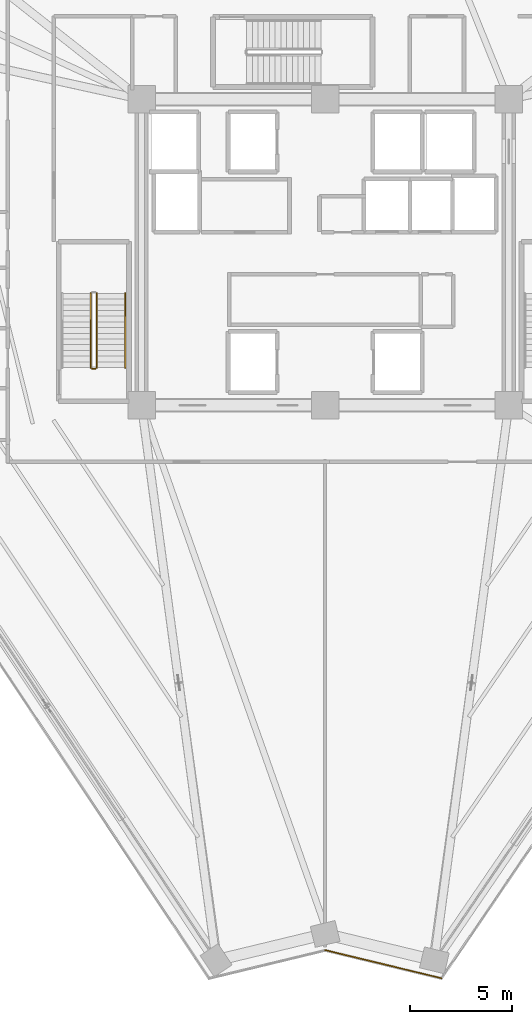
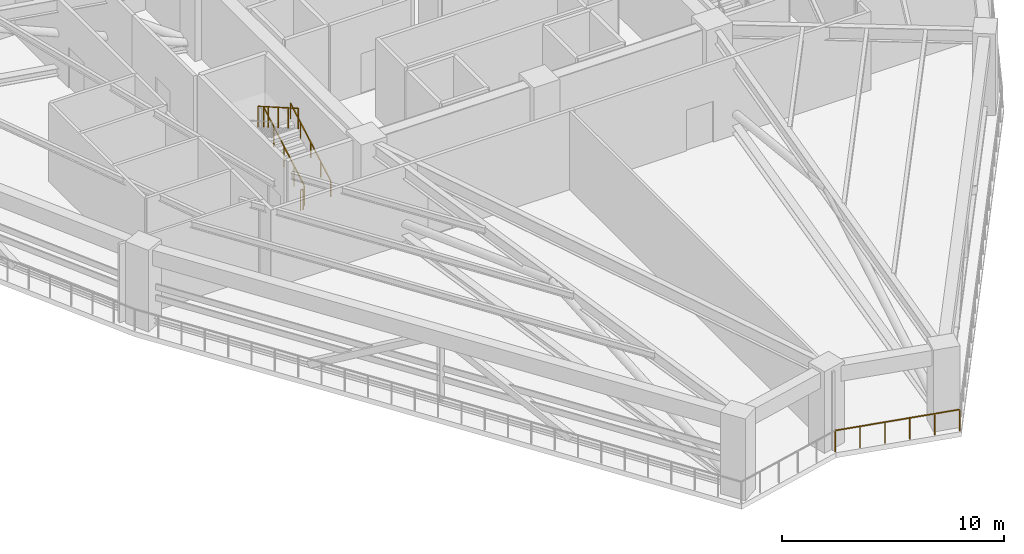
# One storey, part 19 of 25: 5 railings.
"""IFC4 building model written with IfcOpenShell, lengths in metres."""

from ifc_helpers import new_model, si_unit, direction, frame, origin, origin_2d, place, context, subcontext, project, spatial, rectangle, extrude, material, type_object, element, save


model = new_model("IFC4")

# Units and contexts
model_context = context("Model", 3, precision=1e-05, world=origin(), true_north=direction((0.0, 1.0)))
body_context = subcontext(model_context, "Body", "Model", "MODEL_VIEW")
ifc_project = project(units=[si_unit("LENGTHUNIT", "METRE"), si_unit("AREAUNIT", "SQUARE_METRE"), si_unit("VOLUMEUNIT", "CUBIC_METRE"), si_unit("PLANEANGLEUNIT", "RADIAN"), si_unit("MASSUNIT", "GRAM", prefix="KILO")], contexts=[model_context])

# Site, building, storey
site_placement = place(None, origin())
site = spatial("IfcSite", under=ifc_project, at=site_placement, CompositionType="ELEMENT")
building_placement = place(site_placement, origin())
building = spatial("IfcBuilding", under=site, at=building_placement, Name="Liaohun Quay Tower", CompositionType="ELEMENT")
storey_placement = place(building_placement, frame((0.0, 0.0, 231.75)))
storey = spatial("IfcBuildingStorey", under=building, at=storey_placement, Name="L60", CompositionType="ELEMENT", Elevation=231.75)

# Railings
ifc_material_1 = material(Name="Galvanised and powder-coated steel", Category="steel")
railing_type_1 = type_object("IfcRailingType", Name="RLG-GUARD-EXT", PredefinedType="GUARDRAIL", material=ifc_material_1)
railing_1_placement = place(storey_placement, frame((65.68994140625, 18.4189453125, 0.0)))
element("IfcRailing", 1, at=railing_1_placement, inside=storey, type_object=railing_type_1, Name="L60 Open Refuge Band Perimeter Guardrail 11", PredefinedType="GUARDRAIL", context=body_context, shape_type="SweptSolid", body=[
    extrude(rectangle(XDim=0.048095703125, YDim=0.048095703125, at=origin_2d()), frame((0.0, 0.0, 1.17578125), z_axis=(-0.972059240789, 0.234735664943, 0.0), x_axis=(-0.234735664943, -0.972059240789, 0.0)), (0.0, 0.0, 1.0), 5.853515625),
    extrude(rectangle(XDim=0.0419921875, YDim=0.0419921875, at=origin_2d()), origin(), (0.0, 0.0, 1.0), 1.15185546875),
    extrude(rectangle(XDim=0.0419921875, YDim=0.0419921875, at=origin_2d()), frame((-1.137939453125, 0.27490234375, 0.0)), (0.0, 0.0, 1.0), 1.15185546875),
    extrude(rectangle(XDim=0.0419921875, YDim=0.0419921875, at=origin_2d()), frame((-2.27587890625, 0.549560546875, 0.0)), (0.0, 0.0, 1.0), 1.15185546875),
    extrude(rectangle(XDim=0.0419921875, YDim=0.0419921875, at=origin_2d()), frame((-3.4140625, 0.824462890625, 0.0)), (0.0, 0.0, 1.0), 1.15185546875),
    extrude(rectangle(XDim=0.0419921875, YDim=0.0419921875, at=origin_2d()), frame((-4.552001953125, 1.09912109375, 0.0)), (0.0, 0.0, 1.0), 1.15185546875),
    extrude(rectangle(XDim=0.0419921875, YDim=0.0419921875, at=origin_2d()), frame((-5.68994140625, 1.3740234375, 0.0)), (0.0, 0.0, 1.0), 1.15185546875),
])
ifc_material_2 = material(Name="Painted tubular steel", Category="steel")
railing_type_2 = type_object("IfcRailingType", Name="RLG-GUARD-STR", PredefinedType="GUARDRAIL", material=ifc_material_2)
railing_2_placement = place(storey_placement, frame((48.81005859375, 48.35009765625, 0.16064453125)))
element("IfcRailing", 2, at=railing_2_placement, inside=storey, type_object=railing_type_2, Name="L60 ST-1 stair guard 1", PredefinedType="GUARDRAIL", context=body_context, shape_type="SweptSolid", body=[
    extrude(rectangle(XDim=0.048095703125, YDim=0.048095703125, at=origin_2d()), frame((0.0, 0.0, 1.1259765625), z_axis=(0.0, 0.8672749571, 0.497829437445), x_axis=(-1.0, 0.0, 0.0)), (0.0, 0.0, 1.0), 4.197021484375),
    extrude(rectangle(XDim=0.0419921875, YDim=0.0419921875, at=origin_2d()), origin(), (0.0, 0.0, 1.0), 1.101806640625),
    extrude(rectangle(XDim=0.0419921875, YDim=0.0419921875, at=origin_2d()), frame((0.0, 0.909912109375, 0.5224609375)), (0.0, 0.0, 1.0), 1.101806640625),
    extrude(rectangle(XDim=0.0419921875, YDim=0.0419921875, at=origin_2d()), frame((0.0, 1.81982421875, 1.044677734375)), (0.0, 0.0, 1.0), 1.101806640625),
    extrude(rectangle(XDim=0.0419921875, YDim=0.0419921875, at=origin_2d()), frame((0.0, 2.72998046875, 1.56689453125)), (0.0, 0.0, 1.0), 1.101806640625),
    extrude(rectangle(XDim=0.0419921875, YDim=0.0419921875, at=origin_2d()), frame((0.0, 3.639892578125, 2.08935546875)), (0.0, 0.0, 1.0), 1.101806640625),
])
railing_3_placement = place(storey_placement, frame((48.510009765625, 51.989990234375, 2.41064453125)))
element("IfcRailing", 3, at=railing_3_placement, inside=storey, type_object=railing_type_2, Name="L60 ST-1 stair guard 3", PredefinedType="GUARDRAIL", context=body_context, shape_type="SweptSolid", body=[
    extrude(rectangle(XDim=0.048095703125, YDim=0.048095703125, at=origin_2d()), frame((0.0, 0.0, 1.1259765625), z_axis=(0.0, -0.8672749571, 0.497829437445), x_axis=(1.0, 0.0, 0.0)), (0.0, 0.0, 1.0), 4.197021484375),
    extrude(rectangle(XDim=0.0419921875, YDim=0.0419921875, at=origin_2d()), origin(), (0.0, 0.0, 1.0), 1.101806640625),
    extrude(rectangle(XDim=0.0419921875, YDim=0.0419921875, at=origin_2d()), frame((0.0, -0.909912109375, 0.5224609375)), (0.0, 0.0, 1.0), 1.101806640625),
    extrude(rectangle(XDim=0.0419921875, YDim=0.0419921875, at=origin_2d()), frame((0.0, -1.81982421875, 1.044677734375)), (0.0, 0.0, 1.0), 1.101806640625),
    extrude(rectangle(XDim=0.0419921875, YDim=0.0419921875, at=origin_2d()), frame((0.0, -2.72998046875, 1.56689453125)), (0.0, 0.0, 1.0), 1.101806640625),
    extrude(rectangle(XDim=0.0419921875, YDim=0.0419921875, at=origin_2d()), frame((0.0, -3.639892578125, 2.08935546875)), (0.0, 0.0, 1.0), 1.101806640625),
])
railing_4_placement = place(storey_placement, frame((48.72998046875, 48.300048828125, 0.0)))
element("IfcRailing", 4, at=railing_4_placement, inside=storey, type_object=railing_type_2, Name="L60 ST-1 stair guard 4", PredefinedType="GUARDRAIL", context=body_context, shape_type="SweptSolid", body=[
    extrude(rectangle(XDim=0.048095703125, YDim=0.048095703125, at=origin_2d()), frame((0.0, 0.0, 1.1259765625), z_axis=(-1.0, 0.0, 0.0), x_axis=(0.0, -1.0, 0.0)), (0.0, 0.0, 1.0), 0.139892578125),
    extrude(rectangle(XDim=0.0419921875, YDim=0.0419921875, at=origin_2d()), origin(), (0.0, 0.0, 1.0), 1.101806640625),
    extrude(rectangle(XDim=0.0419921875, YDim=0.0419921875, at=origin_2d()), frame((-0.139892578125, 0.0, 0.0)), (0.0, 0.0, 1.0), 1.101806640625),
])
ifc_material_3 = material(Name="Brushed stainless steel", Category="steel")
railing_type_3 = type_object("IfcRailingType", Name="RLG-HND-STR", PredefinedType="HANDRAIL", material=ifc_material_3)
railing_5_placement = place(storey_placement, frame((50.199951171875, 48.35009765625, 0.16064453125)))
element("IfcRailing", 5, at=railing_5_placement, inside=storey, type_object=railing_type_3, Name="L60 ST-1 stair handrail 1", PredefinedType="HANDRAIL", context=body_context, shape_type="SweptSolid", body=[
    extrude(rectangle(XDim=0.048095703125, YDim=0.048095703125, at=origin_2d()), frame((0.0, 0.0, 0.8759765625), z_axis=(0.0, 0.8672749571, 0.497829437445), x_axis=(-1.0, 0.0, 0.0)), (0.0, 0.0, 1.0), 4.197021484375),
    extrude(rectangle(XDim=0.0419921875, YDim=0.0419921875, at=origin_2d()), origin(), (0.0, 0.0, 1.0), 0.851806640625),
    extrude(rectangle(XDim=0.0419921875, YDim=0.0419921875, at=origin_2d()), frame((0.0, 0.909912109375, 0.5224609375)), (0.0, 0.0, 1.0), 0.851806640625),
    extrude(rectangle(XDim=0.0419921875, YDim=0.0419921875, at=origin_2d()), frame((0.0, 1.81982421875, 1.044677734375)), (0.0, 0.0, 1.0), 0.851806640625),
    extrude(rectangle(XDim=0.0419921875, YDim=0.0419921875, at=origin_2d()), frame((0.0, 2.72998046875, 1.56689453125)), (0.0, 0.0, 1.0), 0.851806640625),
    extrude(rectangle(XDim=0.0419921875, YDim=0.0419921875, at=origin_2d()), frame((0.0, 3.639892578125, 2.08935546875)), (0.0, 0.0, 1.0), 0.851806640625),
])

save(model, "model.ifc")
